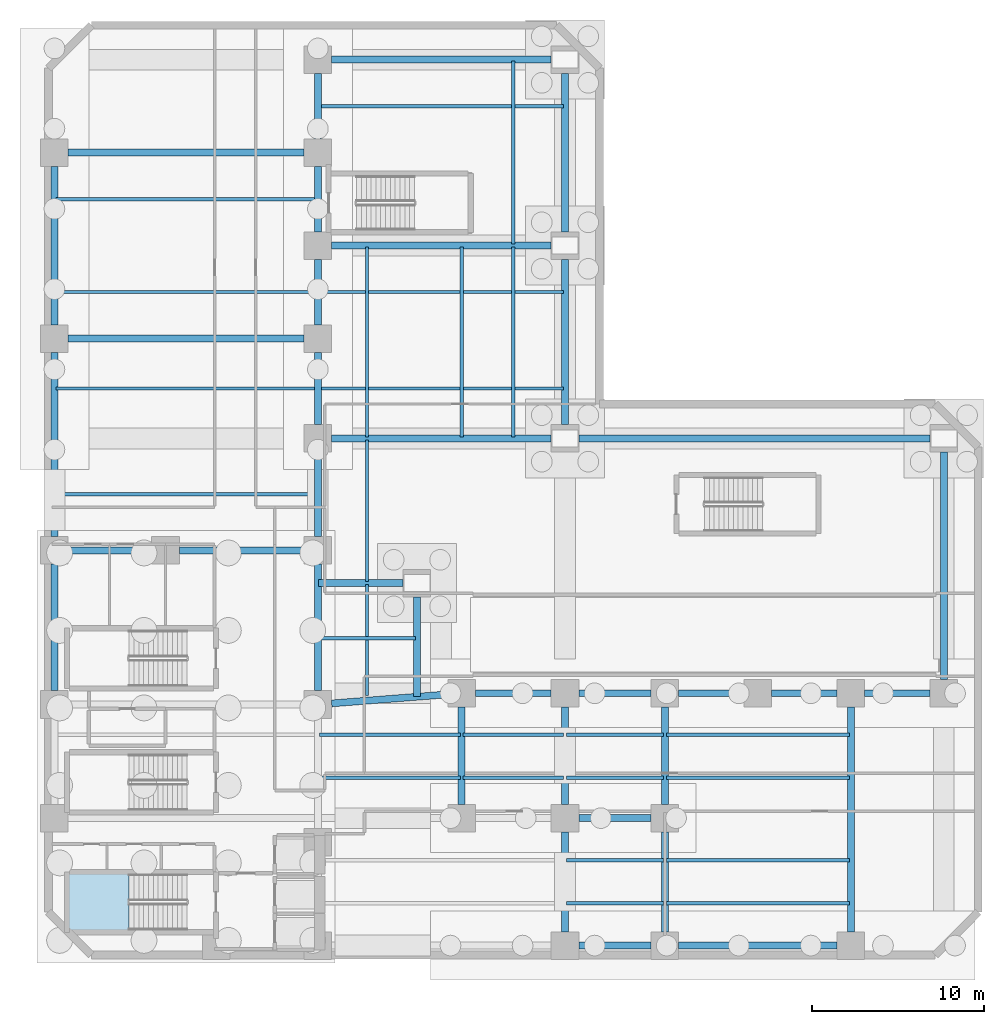
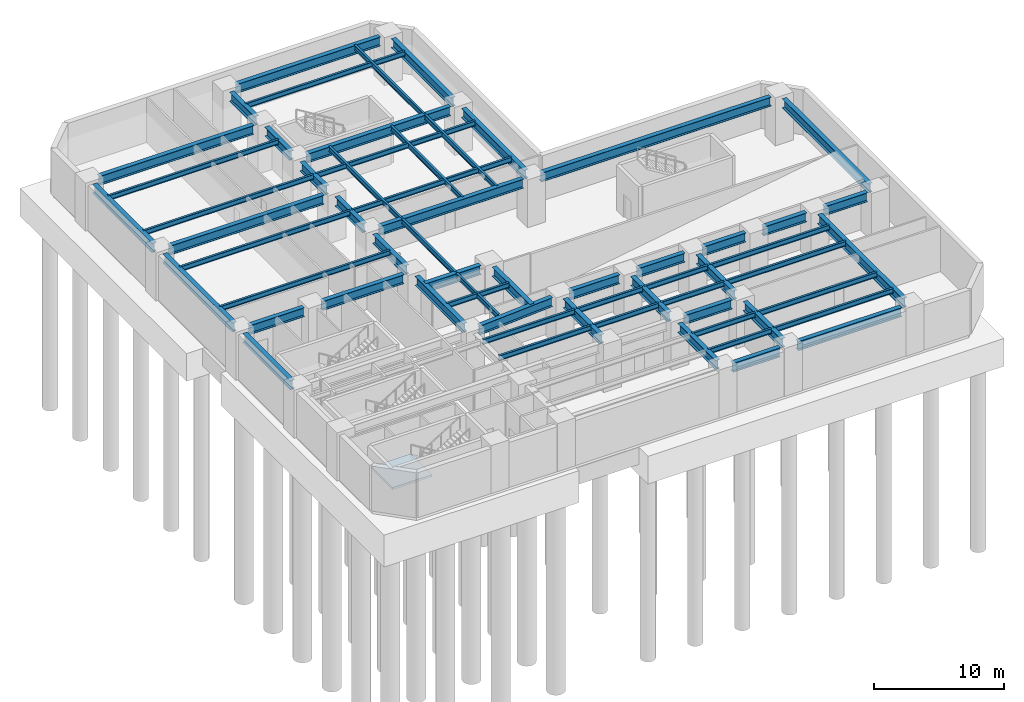
# One storey, part 2 of 10: 63 beams, 1 slab, 1 element without a shape of its own.
"""IFC4 building model written with IfcOpenShell, lengths in metres."""

from ifc_helpers import new_model, si_unit, direction, frame, origin, origin_2d, place, context, subcontext, project, spatial, polyline, i_section, outline, extrude, material, layer, layer_set, material_profile, profile_set, type_object, element, aggregate, save


model = new_model("IFC4")

# Units and contexts
model_context = context("Model", 3, precision=1e-05, world=origin(), true_north=direction((0.0, 1.0)))
body_context = subcontext(model_context, "Body", "Model", "MODEL_VIEW")
ifc_project = project(units=[si_unit("LENGTHUNIT", "METRE"), si_unit("AREAUNIT", "SQUARE_METRE"), si_unit("VOLUMEUNIT", "CUBIC_METRE"), si_unit("PLANEANGLEUNIT", "RADIAN"), si_unit("MASSUNIT", "GRAM", prefix="KILO")], contexts=[model_context])

# Site, building, storey
site_placement = place(None, origin())
site = spatial("IfcSite", under=ifc_project, at=site_placement, CompositionType="ELEMENT")
building_placement = place(site_placement, origin())
building = spatial("IfcBuilding", under=site, at=building_placement, Name="Mawjaban Terraces University", CompositionType="ELEMENT")
storey_placement = place(building_placement, frame((0.0, 0.0, -9.0)))
storey = spatial("IfcBuildingStorey", under=building, at=storey_placement, Name="B2", CompositionType="ELEMENT", Elevation=-9.0)

# Beams
ifc_material_1 = material(Name="Steel ASTM A572 Grade 50", Category="steel")
ifc_material_profile_1 = material_profile(ifc_material_1, i_section(OverallWidth=0.39990234375, OverallDepth=0.85498046875, WebThickness=0.018310546875, FlangeThickness=0.029296875, at=origin_2d()), Name="W840X299")
ifc_profile_set_1 = profile_set([ifc_material_profile_1], Name="Steel ASTM A572 Grade 50")
beam_type_1 = type_object("IfcBeamType", Name="Beam_B_W840X299", PredefinedType="BEAM", material=ifc_profile_set_1)
beam_1_placement = place(storey_placement, frame((52.800048828125, 0.550048828125, 3.7919921875), z_axis=(1.0, 0.0, 0.0), x_axis=(0.0, 1.0, 0.0)))
element("IfcBeam", 1, at=beam_1_placement, inside=storey, type_object=beam_type_1, Name="B2 Beam BM-B2-EW-02", PredefinedType="BEAM", context=body_context, shape_type="SweptSolid", body=[
    extrude(i_section(OverallWidth=0.39990234375, OverallDepth=0.85498046875, WebThickness=0.018310546875, FlangeThickness=0.029296875, at=origin_2d()), origin(), (0.0, 0.0, 1.0), 4.199951171875),
])
beam_2_placement = place(storey_placement, frame((58.60009765625, 0.550048828125, 3.7919921875), z_axis=(1.0, 0.0, 0.0), x_axis=(0.0, 1.0, 0.0)))
element("IfcBeam", 2, at=beam_2_placement, inside=storey, type_object=beam_type_1, Name="B2 Beam BM-B2-EW-03", PredefinedType="BEAM", context=body_context, shape_type="SweptSolid", body=[
    extrude(i_section(OverallWidth=0.39990234375, OverallDepth=0.85498046875, WebThickness=0.018310546875, FlangeThickness=0.029296875, at=origin_2d()), origin(), (0.0, 0.0, 1.0), 9.199951171875),
])
beam_3_placement = place(storey_placement, frame((52.800048828125, 7.949951171875, 3.7919921875), z_axis=(1.0, 0.0, 0.0), x_axis=(0.0, 1.0, 0.0)))
element("IfcBeam", 3, at=beam_3_placement, inside=storey, type_object=beam_type_1, Name="B2 Beam BM-B2-EW-06", PredefinedType="BEAM", context=body_context, shape_type="SweptSolid", body=[
    extrude(i_section(OverallWidth=0.39990234375, OverallDepth=0.85498046875, WebThickness=0.018310546875, FlangeThickness=0.029296875, at=origin_2d()), origin(), (0.0, 0.0, 1.0), 4.199951171875),
])
beam_4_placement = place(storey_placement, frame((46.800048828125, 15.199951171875, 3.7919921875), z_axis=(1.0, 0.0, 0.0), x_axis=(0.0, 1.0, 0.0)))
element("IfcBeam", 4, at=beam_4_placement, inside=storey, type_object=beam_type_1, Name="B2 Beam BM-B2-EW-08", PredefinedType="BEAM", context=body_context, shape_type="SweptSolid", body=[
    extrude(i_section(OverallWidth=0.39990234375, OverallDepth=0.85498046875, WebThickness=0.018310546875, FlangeThickness=0.029296875, at=origin_2d()), origin(), (0.0, 0.0, 1.0), 4.39990234375),
])
beam_5_placement = place(storey_placement, frame((52.800048828125, 15.199951171875, 3.7919921875), z_axis=(1.0, 0.0, 0.0), x_axis=(0.0, 1.0, 0.0)))
element("IfcBeam", 5, at=beam_5_placement, inside=storey, type_object=beam_type_1, Name="B2 Beam BM-B2-EW-09", PredefinedType="BEAM", context=body_context, shape_type="SweptSolid", body=[
    extrude(i_section(OverallWidth=0.39990234375, OverallDepth=0.85498046875, WebThickness=0.018310546875, FlangeThickness=0.029296875, at=origin_2d()), origin(), (0.0, 0.0, 1.0), 4.199951171875),
])
beam_6_placement = place(storey_placement, frame((58.60009765625, 15.199951171875, 3.7919921875), z_axis=(1.0, 0.0, 0.0), x_axis=(0.0, 1.0, 0.0)))
element("IfcBeam", 6, at=beam_6_placement, inside=storey, type_object=beam_type_1, Name="B2 Beam BM-B2-EW-10", PredefinedType="BEAM", context=body_context, shape_type="SweptSolid", body=[
    extrude(i_section(OverallWidth=0.39990234375, OverallDepth=0.85498046875, WebThickness=0.018310546875, FlangeThickness=0.029296875, at=origin_2d()), origin(), (0.0, 0.0, 1.0), 3.7998046875),
])
for number, where, z_axis, x_axis, name in (
    (7, (64.0, 15.199951171875, 3.7919921875), (1.0, 0.0, 0.0), (0.0, 1.0, 0.0), "B2 Beam BM-B2-EW-11"),
    (8, (69.39990234375, 15.199951171875, 3.7919921875), (1.0, 0.0, 0.0), (0.0, 1.0, 0.0), "B2 Beam BM-B2-EW-12"),
):
    element("IfcBeam", number, at=place(storey_placement, frame(where, z_axis=z_axis, x_axis=x_axis)), inside=storey, type_object=beam_type_1, Name=name, PredefinedType="BEAM", context=body_context, shape_type="SweptSolid", body=[
        extrude(i_section(OverallWidth=0.39990234375, OverallDepth=0.85498046875, WebThickness=0.018310546875, FlangeThickness=0.029296875, at=origin_2d()), origin(), (0.0, 0.0, 1.0), 3.800048828125),
    ])
beam_7_placement = place(storey_placement, frame((23.14990234375, 23.5, 3.7919921875), z_axis=(1.0, 0.0, 0.0), x_axis=(0.0, 1.0, 0.0)))
element("IfcBeam", 9, at=beam_7_placement, inside=storey, type_object=beam_type_1, Name="B2 Beam BM-B2-EW-13", PredefinedType="BEAM", context=body_context, shape_type="SweptSolid", body=[
    extrude(i_section(OverallWidth=0.39990234375, OverallDepth=0.85498046875, WebThickness=0.018310546875, FlangeThickness=0.029296875, at=origin_2d()), origin(), (0.0, 0.0, 1.0), 4.85009765625),
])
beam_8_placement = place(storey_placement, frame((29.60009765625, 23.5, 3.7919921875), z_axis=(1.0, 0.0, 0.0), x_axis=(0.0, 1.0, 0.0)))
element("IfcBeam", 10, at=beam_8_placement, inside=storey, type_object=beam_type_1, Name="B2 Beam BM-B2-EW-14", PredefinedType="BEAM", context=body_context, shape_type="SweptSolid", body=[
    extrude(i_section(OverallWidth=0.39990234375, OverallDepth=0.85498046875, WebThickness=0.018310546875, FlangeThickness=0.029296875, at=origin_2d()), origin(), (0.0, 0.0, 1.0), 7.25),
])
beam_9_placement = place(storey_placement, frame((38.449951171875, 30.0, 3.7919921875), z_axis=(1.0, 0.0, 0.0), x_axis=(0.0, 1.0, 0.0)))
element("IfcBeam", 11, at=beam_9_placement, inside=storey, type_object=beam_type_1, Name="B2 Beam BM-B2-EW-15", PredefinedType="BEAM", context=body_context, shape_type="SweptSolid", body=[
    extrude(i_section(OverallWidth=0.39990234375, OverallDepth=0.85498046875, WebThickness=0.018310546875, FlangeThickness=0.029296875, at=origin_2d()), origin(), (0.0, 0.0, 1.0), 12.75),
])
beam_10_placement = place(storey_placement, frame((52.800048828125, 30.0, 3.7919921875), z_axis=(1.0, 0.0, 0.0), x_axis=(0.0, 1.0, 0.0)))
element("IfcBeam", 12, at=beam_10_placement, inside=storey, type_object=beam_type_1, Name="B2 Beam BM-B2-EW-16", PredefinedType="BEAM", context=body_context, shape_type="SweptSolid", body=[
    extrude(i_section(OverallWidth=0.39990234375, OverallDepth=0.85498046875, WebThickness=0.018310546875, FlangeThickness=0.029296875, at=origin_2d()), origin(), (0.0, 0.0, 1.0), 20.39990234375),
])
beam_11_placement = place(storey_placement, frame((23.14990234375, 35.800048828125, 3.7919921875), z_axis=(1.0, 0.0, 0.0), x_axis=(0.0, 1.0, 0.0)))
element("IfcBeam", 13, at=beam_11_placement, inside=storey, type_object=beam_type_1, Name="B2 Beam BM-B2-EW-17", PredefinedType="BEAM", context=body_context, shape_type="SweptSolid", body=[
    extrude(i_section(OverallWidth=0.39990234375, OverallDepth=0.85498046875, WebThickness=0.018310546875, FlangeThickness=0.029296875, at=origin_2d()), origin(), (0.0, 0.0, 1.0), 13.7001953125),
])
beam_12_placement = place(storey_placement, frame((38.449951171875, 41.199951171875, 3.7919921875), z_axis=(1.0, 0.0, 0.0), x_axis=(0.0, 1.0, 0.0)))
element("IfcBeam", 14, at=beam_12_placement, inside=storey, type_object=beam_type_1, Name="B2 Beam BM-B2-EW-18", PredefinedType="BEAM", context=body_context, shape_type="SweptSolid", body=[
    extrude(i_section(OverallWidth=0.39990234375, OverallDepth=0.85498046875, WebThickness=0.018310546875, FlangeThickness=0.029296875, at=origin_2d()), origin(), (0.0, 0.0, 1.0), 12.75),
])
beam_13_placement = place(storey_placement, frame((23.14990234375, 46.60009765625, 3.7919921875), z_axis=(1.0, 0.0, 0.0), x_axis=(0.0, 1.0, 0.0)))
element("IfcBeam", 15, at=beam_13_placement, inside=storey, type_object=beam_type_1, Name="B2 Beam BM-B2-EW-19", PredefinedType="BEAM", context=body_context, shape_type="SweptSolid", body=[
    extrude(i_section(OverallWidth=0.39990234375, OverallDepth=0.85498046875, WebThickness=0.018310546875, FlangeThickness=0.029296875, at=origin_2d()), origin(), (0.0, 0.0, 1.0), 13.7001953125),
])
beam_14_placement = place(storey_placement, frame((38.449951171875, 52.0, 3.7919921875), z_axis=(1.0, 0.0, 0.0), x_axis=(0.0, 1.0, 0.0)))
element("IfcBeam", 16, at=beam_14_placement, inside=storey, type_object=beam_type_1, Name="B2 Beam BM-B2-EW-20", PredefinedType="BEAM", context=body_context, shape_type="SweptSolid", body=[
    extrude(i_section(OverallWidth=0.39990234375, OverallDepth=0.85498046875, WebThickness=0.018310546875, FlangeThickness=0.029296875, at=origin_2d()), origin(), (0.0, 0.0, 1.0), 12.75),
])
beam_15_placement = place(storey_placement, frame((22.35009765625, 15.35009765625, 3.7919921875), z_axis=(0.0, 1.0, 0.0), x_axis=(-1.0, 0.0, 0.0)))
element("IfcBeam", 17, at=beam_15_placement, inside=storey, type_object=beam_type_1, Name="B2 Beam BM-B2-NS-02", PredefinedType="BEAM", context=body_context, shape_type="SweptSolid", body=[
    extrude(i_section(OverallWidth=0.39990234375, OverallDepth=0.85498046875, WebThickness=0.018310546875, FlangeThickness=0.029296875, at=origin_2d()), origin(), (0.0, 0.0, 1.0), 7.349853515625),
])
beam_16_placement = place(storey_placement, frame((22.35009765625, 24.300048828125, 3.7919921875), z_axis=(0.0, 1.0, 0.0), x_axis=(-1.0, 0.0, 0.0)))
element("IfcBeam", 18, at=beam_16_placement, inside=storey, type_object=beam_type_1, Name="B2 Beam BM-B2-NS-03", PredefinedType="BEAM", context=body_context, shape_type="SweptSolid", body=[
    extrude(i_section(OverallWidth=0.39990234375, OverallDepth=0.85498046875, WebThickness=0.018310546875, FlangeThickness=0.029296875, at=origin_2d()), origin(), (0.0, 0.0, 1.0), 10.699951171875),
])
beam_17_placement = place(storey_placement, frame((22.35009765625, 36.60009765625, 3.7919921875), z_axis=(0.0, 1.0, 0.0), x_axis=(-1.0, 0.0, 0.0)))
element("IfcBeam", 19, at=beam_17_placement, inside=storey, type_object=beam_type_1, Name="B2 Beam BM-B2-NS-04", PredefinedType="BEAM", context=body_context, shape_type="SweptSolid", body=[
    extrude(i_section(OverallWidth=0.39990234375, OverallDepth=0.85498046875, WebThickness=0.018310546875, FlangeThickness=0.029296875, at=origin_2d()), origin(), (0.0, 0.0, 1.0), 9.199951171875),
])
beam_18_placement = place(storey_placement, frame((37.64990234375, 15.35009765625, 3.7919921875), z_axis=(0.0, 1.0, 0.0), x_axis=(-1.0, 0.0, 0.0)))
element("IfcBeam", 20, at=beam_18_placement, inside=storey, type_object=beam_type_1, Name="B2 Beam BM-B2-NS-07", PredefinedType="BEAM", context=body_context, shape_type="SweptSolid", body=[
    extrude(i_section(OverallWidth=0.39990234375, OverallDepth=0.85498046875, WebThickness=0.018310546875, FlangeThickness=0.029296875, at=origin_2d()), origin(), (0.0, 0.0, 1.0), 7.349853515625),
])
beam_19_placement = place(storey_placement, frame((37.64990234375, 24.300048828125, 3.7919921875), z_axis=(0.0, 1.0, 0.0), x_axis=(-1.0, 0.0, 0.0)))
element("IfcBeam", 21, at=beam_19_placement, inside=storey, type_object=beam_type_1, Name="B2 Beam BM-B2-NS-08", PredefinedType="BEAM", context=body_context, shape_type="SweptSolid", body=[
    extrude(i_section(OverallWidth=0.39990234375, OverallDepth=0.85498046875, WebThickness=0.018310546875, FlangeThickness=0.029296875, at=origin_2d()), origin(), (0.0, 0.0, 1.0), 4.89990234375),
])
beam_20_placement = place(storey_placement, frame((37.64990234375, 30.800048828125, 3.7919921875), z_axis=(0.0, 1.0, 0.0), x_axis=(-1.0, 0.0, 0.0)))
element("IfcBeam", 22, at=beam_20_placement, inside=storey, type_object=beam_type_1, Name="B2 Beam BM-B2-NS-09", PredefinedType="BEAM", context=body_context, shape_type="SweptSolid", body=[
    extrude(i_section(OverallWidth=0.39990234375, OverallDepth=0.85498046875, WebThickness=0.018310546875, FlangeThickness=0.029296875, at=origin_2d()), origin(), (0.0, 0.0, 1.0), 4.199951171875),
])
beam_21_placement = place(storey_placement, frame((37.64990234375, 36.60009765625, 3.7919921875), z_axis=(0.0, 1.0, 0.0), x_axis=(-1.0, 0.0, 0.0)))
element("IfcBeam", 23, at=beam_21_placement, inside=storey, type_object=beam_type_1, Name="B2 Beam BM-B2-NS-10", PredefinedType="BEAM", context=body_context, shape_type="SweptSolid", body=[
    extrude(i_section(OverallWidth=0.39990234375, OverallDepth=0.85498046875, WebThickness=0.018310546875, FlangeThickness=0.029296875, at=origin_2d()), origin(), (0.0, 0.0, 1.0), 3.7998046875),
])
for number, where, z_axis, x_axis, name in (
    (24, (37.64990234375, 42.0, 3.7919921875), (0.0, 1.0, 0.0), (-1.0, 0.0, 0.0), "B2 Beam BM-B2-NS-11"),
    (25, (37.64990234375, 47.39990234375, 3.7919921875), (0.0, 1.0, 0.0), (-1.0, 0.0, 0.0), "B2 Beam BM-B2-NS-12"),
):
    element("IfcBeam", number, at=place(storey_placement, frame(where, z_axis=z_axis, x_axis=x_axis)), inside=storey, type_object=beam_type_1, Name=name, PredefinedType="BEAM", context=body_context, shape_type="SweptSolid", body=[
        extrude(i_section(OverallWidth=0.39990234375, OverallDepth=0.85498046875, WebThickness=0.018310546875, FlangeThickness=0.029296875, at=origin_2d()), origin(), (0.0, 0.0, 1.0), 3.800048828125),
    ])
beam_22_placement = place(storey_placement, frame((46.0, 8.75, 3.7919921875), z_axis=(0.0, 1.0, 0.0), x_axis=(-1.0, 0.0, 0.0)))
element("IfcBeam", 26, at=beam_22_placement, inside=storey, type_object=beam_type_1, Name="B2 Beam BM-B2-NS-13", PredefinedType="BEAM", context=body_context, shape_type="SweptSolid", body=[
    extrude(i_section(OverallWidth=0.39990234375, OverallDepth=0.85498046875, WebThickness=0.018310546875, FlangeThickness=0.029296875, at=origin_2d()), origin(), (0.0, 0.0, 1.0), 5.64990234375),
])
beam_23_placement = place(storey_placement, frame((52.0, 1.35009765625, 3.7919921875), z_axis=(0.0, 1.0, 0.0), x_axis=(-1.0, 0.0, 0.0)))
element("IfcBeam", 27, at=beam_23_placement, inside=storey, type_object=beam_type_1, Name="B2 Beam BM-B2-NS-14", PredefinedType="BEAM", context=body_context, shape_type="SweptSolid", body=[
    extrude(i_section(OverallWidth=0.39990234375, OverallDepth=0.85498046875, WebThickness=0.018310546875, FlangeThickness=0.029296875, at=origin_2d()), origin(), (0.0, 0.0, 1.0), 5.7998046875),
])
beam_24_placement = place(storey_placement, frame((52.0, 8.75, 3.7919921875), z_axis=(0.0, 1.0, 0.0), x_axis=(-1.0, 0.0, 0.0)))
element("IfcBeam", 28, at=beam_24_placement, inside=storey, type_object=beam_type_1, Name="B2 Beam BM-B2-NS-15", PredefinedType="BEAM", context=body_context, shape_type="SweptSolid", body=[
    extrude(i_section(OverallWidth=0.39990234375, OverallDepth=0.85498046875, WebThickness=0.018310546875, FlangeThickness=0.029296875, at=origin_2d()), origin(), (0.0, 0.0, 1.0), 5.64990234375),
])
beam_25_placement = place(storey_placement, frame((52.0, 30.800048828125, 3.7919921875), z_axis=(0.0, 1.0, 0.0), x_axis=(-1.0, 0.0, 0.0)))
element("IfcBeam", 29, at=beam_25_placement, inside=storey, type_object=beam_type_1, Name="B2 Beam BM-B2-NS-16", PredefinedType="BEAM", context=body_context, shape_type="SweptSolid", body=[
    extrude(i_section(OverallWidth=0.39990234375, OverallDepth=0.85498046875, WebThickness=0.018310546875, FlangeThickness=0.029296875, at=origin_2d()), origin(), (0.0, 0.0, 1.0), 9.599853515625),
])
beam_26_placement = place(storey_placement, frame((52.0, 42.0, 3.7919921875), z_axis=(0.0, 1.0, 0.0), x_axis=(-1.0, 0.0, 0.0)))
element("IfcBeam", 30, at=beam_26_placement, inside=storey, type_object=beam_type_1, Name="B2 Beam BM-B2-NS-17", PredefinedType="BEAM", context=body_context, shape_type="SweptSolid", body=[
    extrude(i_section(OverallWidth=0.39990234375, OverallDepth=0.85498046875, WebThickness=0.018310546875, FlangeThickness=0.029296875, at=origin_2d()), origin(), (0.0, 0.0, 1.0), 9.199951171875),
])
beam_27_placement = place(storey_placement, frame((57.800048828125, 1.35009765625, 3.7919921875), z_axis=(0.0, 1.0, 0.0), x_axis=(-1.0, 0.0, 0.0)))
element("IfcBeam", 31, at=beam_27_placement, inside=storey, type_object=beam_type_1, Name="B2 Beam BM-B2-NS-18", PredefinedType="BEAM", context=body_context, shape_type="SweptSolid", body=[
    extrude(i_section(OverallWidth=0.39990234375, OverallDepth=0.85498046875, WebThickness=0.018310546875, FlangeThickness=0.029296875, at=origin_2d()), origin(), (0.0, 0.0, 1.0), 5.7998046875),
])
beam_28_placement = place(storey_placement, frame((57.800048828125, 8.75, 3.7919921875), z_axis=(0.0, 1.0, 0.0), x_axis=(-1.0, 0.0, 0.0)))
element("IfcBeam", 32, at=beam_28_placement, inside=storey, type_object=beam_type_1, Name="B2 Beam BM-B2-NS-19", PredefinedType="BEAM", context=body_context, shape_type="SweptSolid", body=[
    extrude(i_section(OverallWidth=0.39990234375, OverallDepth=0.85498046875, WebThickness=0.018310546875, FlangeThickness=0.029296875, at=origin_2d()), origin(), (0.0, 0.0, 1.0), 5.64990234375),
])
beam_29_placement = place(storey_placement, frame((68.60009765625, 1.35009765625, 3.7919921875), z_axis=(0.0, 1.0, 0.0), x_axis=(-1.0, 0.0, 0.0)))
element("IfcBeam", 33, at=beam_29_placement, inside=storey, type_object=beam_type_1, Name="B2 Beam BM-B2-NS-20", PredefinedType="BEAM", context=body_context, shape_type="SweptSolid", body=[
    extrude(i_section(OverallWidth=0.39990234375, OverallDepth=0.85498046875, WebThickness=0.018310546875, FlangeThickness=0.029296875, at=origin_2d()), origin(), (0.0, 0.0, 1.0), 13.0498046875),
])
beam_30_placement = place(storey_placement, frame((74.0, 16.0, 3.7919921875), z_axis=(0.0, 1.0, 0.0), x_axis=(-1.0, 0.0, 0.0)))
element("IfcBeam", 34, at=beam_30_placement, inside=storey, type_object=beam_type_1, Name="B2 Beam BM-B2-NS-21", PredefinedType="BEAM", context=body_context, shape_type="SweptSolid", body=[
    extrude(i_section(OverallWidth=0.39990234375, OverallDepth=0.85498046875, WebThickness=0.018310546875, FlangeThickness=0.029296875, at=origin_2d()), origin(), (0.0, 0.0, 1.0), 13.199951171875),
])
beam_31_placement = place(storey_placement, frame((38.447998046875, 14.612060546875, 3.7919921875), z_axis=(0.996982396396, 0.077627967099, 0.0), x_axis=(-0.077627967099, 0.996982396396, 0.0)))
element("IfcBeam", 35, at=beam_31_placement, inside=storey, type_object=beam_type_1, Name="B2 Beam BM-B2-CTIE", PredefinedType="BEAM", context=body_context, shape_type="SweptSolid", body=[
    extrude(i_section(OverallWidth=0.39990234375, OverallDepth=0.85498046875, WebThickness=0.018310546875, FlangeThickness=0.029296875, at=origin_2d()), origin(), (0.0, 0.0, 1.0), 6.7744140625),
])
beam_32_placement = place(storey_placement, frame((37.679931640625, 21.60009765625, 3.7919921875), z_axis=(1.0, 0.0, 0.0), x_axis=(0.0, 1.0, 0.0)))
element("IfcBeam", 36, at=beam_32_placement, inside=storey, type_object=beam_type_1, Name="B2 Spur Tie Girder West", PredefinedType="BEAM", context=body_context, shape_type="SweptSolid", body=[
    extrude(i_section(OverallWidth=0.39990234375, OverallDepth=0.85498046875, WebThickness=0.018310546875, FlangeThickness=0.029296875, at=origin_2d()), origin(), (0.0, 0.0, 1.0), 4.920166015625),
])
beam_33_placement = place(storey_placement, frame((43.39990234375, 15.0, 3.7919921875), z_axis=(0.0, 1.0, 0.0), x_axis=(-1.0, 0.0, 0.0)))
element("IfcBeam", 37, at=beam_33_placement, inside=storey, type_object=beam_type_1, Name="B2 Spur Tie Girder South", PredefinedType="BEAM", context=body_context, shape_type="SweptSolid", body=[
    extrude(i_section(OverallWidth=0.39990234375, OverallDepth=0.85498046875, WebThickness=0.018310546875, FlangeThickness=0.029296875, at=origin_2d()), origin(), (0.0, 0.0, 1.0), 5.800048828125),
])
ifc_material_profile_2 = material_profile(ifc_material_1, i_section(OverallWidth=0.194091796875, OverallDepth=0.468994140625, WebThickness=0.011474609375, FlangeThickness=0.0205078125, at=origin_2d()), Name="W460X106")
ifc_profile_set_2 = profile_set([ifc_material_profile_2], Name="Steel ASTM A572 Grade 50")
beam_type_2 = type_object("IfcBeamType", Name="Beam_J_W460X106", PredefinedType="JOIST", material=ifc_profile_set_2)
beam_34_placement = place(storey_placement, frame((52.080078125, 3.0, 3.986083984375), z_axis=(1.0, 0.0, 0.0), x_axis=(0.0, 1.0, 0.0)))
element("IfcBeam", 38, at=beam_34_placement, inside=storey, type_object=beam_type_2, Name="B2 Composite Joist JST-B2-02", PredefinedType="JOIST", context=body_context, shape_type="SweptSolid", body=[
    extrude(i_section(OverallWidth=0.194091796875, OverallDepth=0.468994140625, WebThickness=0.011474609375, FlangeThickness=0.0205078125, at=origin_2d()), origin(), (0.0, 0.0, 1.0), 5.639892578125),
])
beam_35_placement = place(storey_placement, frame((57.8798828125, 3.0, 3.986083984375), z_axis=(1.0, 0.0, 0.0), x_axis=(0.0, 1.0, 0.0)))
element("IfcBeam", 39, at=beam_35_placement, inside=storey, type_object=beam_type_2, Name="B2 Composite Joist JST-B2-03", PredefinedType="JOIST", context=body_context, shape_type="SweptSolid", body=[
    extrude(i_section(OverallWidth=0.194091796875, OverallDepth=0.468994140625, WebThickness=0.011474609375, FlangeThickness=0.0205078125, at=origin_2d()), origin(), (0.0, 0.0, 1.0), 10.64013671875),
])
beam_36_placement = place(storey_placement, frame((52.080078125, 5.5, 3.986083984375), z_axis=(1.0, 0.0, 0.0), x_axis=(0.0, 1.0, 0.0)))
element("IfcBeam", 40, at=beam_36_placement, inside=storey, type_object=beam_type_2, Name="B2 Composite Joist JST-B2-05", PredefinedType="JOIST", context=body_context, shape_type="SweptSolid", body=[
    extrude(i_section(OverallWidth=0.194091796875, OverallDepth=0.468994140625, WebThickness=0.011474609375, FlangeThickness=0.0205078125, at=origin_2d()), origin(), (0.0, 0.0, 1.0), 5.639892578125),
])
beam_37_placement = place(storey_placement, frame((57.8798828125, 5.5, 3.986083984375), z_axis=(1.0, 0.0, 0.0), x_axis=(0.0, 1.0, 0.0)))
element("IfcBeam", 41, at=beam_37_placement, inside=storey, type_object=beam_type_2, Name="B2 Composite Joist JST-B2-06", PredefinedType="JOIST", context=body_context, shape_type="SweptSolid", body=[
    extrude(i_section(OverallWidth=0.194091796875, OverallDepth=0.468994140625, WebThickness=0.011474609375, FlangeThickness=0.0205078125, at=origin_2d()), origin(), (0.0, 0.0, 1.0), 10.64013671875),
])
beam_38_placement = place(storey_placement, frame((37.72998046875, 10.300048828125, 3.986083984375), z_axis=(1.0, 0.0, 0.0), x_axis=(0.0, 1.0, 0.0)))
element("IfcBeam", 42, at=beam_38_placement, inside=storey, type_object=beam_type_2, Name="B2 Composite Joist JST-B2-07", PredefinedType="JOIST", context=body_context, shape_type="SweptSolid", body=[
    extrude(i_section(OverallWidth=0.194091796875, OverallDepth=0.468994140625, WebThickness=0.011474609375, FlangeThickness=0.0205078125, at=origin_2d()), origin(), (0.0, 0.0, 1.0), 8.18994140625),
])
beam_39_placement = place(storey_placement, frame((46.080078125, 10.300048828125, 3.986083984375), z_axis=(1.0, 0.0, 0.0), x_axis=(0.0, 1.0, 0.0)))
element("IfcBeam", 43, at=beam_39_placement, inside=storey, type_object=beam_type_2, Name="B2 Composite Joist JST-B2-08", PredefinedType="JOIST", context=body_context, shape_type="SweptSolid", body=[
    extrude(i_section(OverallWidth=0.194091796875, OverallDepth=0.468994140625, WebThickness=0.011474609375, FlangeThickness=0.0205078125, at=origin_2d()), origin(), (0.0, 0.0, 1.0), 5.83984375),
])
beam_40_placement = place(storey_placement, frame((52.080078125, 10.300048828125, 3.986083984375), z_axis=(1.0, 0.0, 0.0), x_axis=(0.0, 1.0, 0.0)))
element("IfcBeam", 44, at=beam_40_placement, inside=storey, type_object=beam_type_2, Name="B2 Composite Joist JST-B2-09", PredefinedType="JOIST", context=body_context, shape_type="SweptSolid", body=[
    extrude(i_section(OverallWidth=0.194091796875, OverallDepth=0.468994140625, WebThickness=0.011474609375, FlangeThickness=0.0205078125, at=origin_2d()), origin(), (0.0, 0.0, 1.0), 5.639892578125),
])
beam_41_placement = place(storey_placement, frame((57.8798828125, 10.300048828125, 3.986083984375), z_axis=(1.0, 0.0, 0.0), x_axis=(0.0, 1.0, 0.0)))
element("IfcBeam", 45, at=beam_41_placement, inside=storey, type_object=beam_type_2, Name="B2 Composite Joist JST-B2-10", PredefinedType="JOIST", context=body_context, shape_type="SweptSolid", body=[
    extrude(i_section(OverallWidth=0.194091796875, OverallDepth=0.468994140625, WebThickness=0.011474609375, FlangeThickness=0.0205078125, at=origin_2d()), origin(), (0.0, 0.0, 1.0), 10.64013671875),
])
beam_42_placement = place(storey_placement, frame((37.72998046875, 12.800048828125, 3.986083984375), z_axis=(1.0, 0.0, 0.0), x_axis=(0.0, 1.0, 0.0)))
element("IfcBeam", 46, at=beam_42_placement, inside=storey, type_object=beam_type_2, Name="B2 Composite Joist JST-B2-12", PredefinedType="JOIST", context=body_context, shape_type="SweptSolid", body=[
    extrude(i_section(OverallWidth=0.194091796875, OverallDepth=0.468994140625, WebThickness=0.011474609375, FlangeThickness=0.0205078125, at=origin_2d()), origin(), (0.0, 0.0, 1.0), 8.18994140625),
])
beam_43_placement = place(storey_placement, frame((46.080078125, 12.800048828125, 3.986083984375), z_axis=(1.0, 0.0, 0.0), x_axis=(0.0, 1.0, 0.0)))
element("IfcBeam", 47, at=beam_43_placement, inside=storey, type_object=beam_type_2, Name="B2 Composite Joist JST-B2-13", PredefinedType="JOIST", context=body_context, shape_type="SweptSolid", body=[
    extrude(i_section(OverallWidth=0.194091796875, OverallDepth=0.468994140625, WebThickness=0.011474609375, FlangeThickness=0.0205078125, at=origin_2d()), origin(), (0.0, 0.0, 1.0), 5.83984375),
])
beam_44_placement = place(storey_placement, frame((52.080078125, 12.800048828125, 3.986083984375), z_axis=(1.0, 0.0, 0.0), x_axis=(0.0, 1.0, 0.0)))
element("IfcBeam", 48, at=beam_44_placement, inside=storey, type_object=beam_type_2, Name="B2 Composite Joist JST-B2-14", PredefinedType="JOIST", context=body_context, shape_type="SweptSolid", body=[
    extrude(i_section(OverallWidth=0.194091796875, OverallDepth=0.468994140625, WebThickness=0.011474609375, FlangeThickness=0.0205078125, at=origin_2d()), origin(), (0.0, 0.0, 1.0), 5.639892578125),
])
beam_45_placement = place(storey_placement, frame((57.8798828125, 12.800048828125, 3.986083984375), z_axis=(1.0, 0.0, 0.0), x_axis=(0.0, 1.0, 0.0)))
element("IfcBeam", 49, at=beam_45_placement, inside=storey, type_object=beam_type_2, Name="B2 Composite Joist JST-B2-15", PredefinedType="JOIST", context=body_context, shape_type="SweptSolid", body=[
    extrude(i_section(OverallWidth=0.194091796875, OverallDepth=0.468994140625, WebThickness=0.011474609375, FlangeThickness=0.0205078125, at=origin_2d()), origin(), (0.0, 0.0, 1.0), 10.64013671875),
])
beam_46_placement = place(storey_placement, frame((37.72998046875, 18.39990234375, 3.986083984375), z_axis=(1.0, 0.0, 0.0), x_axis=(0.0, 1.0, 0.0)))
element("IfcBeam", 50, at=beam_46_placement, inside=storey, type_object=beam_type_2, Name="B2 Composite Joist JST-B2-16", PredefinedType="JOIST", context=body_context, shape_type="SweptSolid", body=[
    extrude(i_section(OverallWidth=0.194091796875, OverallDepth=0.468994140625, WebThickness=0.011474609375, FlangeThickness=0.0205078125, at=origin_2d()), origin(), (0.0, 0.0, 1.0), 5.590087890625),
])
for number, where, z_axis, x_axis, name in (
    (51, (22.429931640625, 26.75, 3.986083984375), (1.0, 0.0, 0.0), (0.0, 1.0, 0.0), "B2 Composite Joist JST-B2-17"),
    (52, (22.429931640625, 32.89990234375, 3.986083984375), (1.0, 0.0, 0.0), (0.0, 1.0, 0.0), "B2 Composite Joist JST-B2-18"),
):
    element("IfcBeam", number, at=place(storey_placement, frame(where, z_axis=z_axis, x_axis=x_axis)), inside=storey, type_object=beam_type_2, Name=name, PredefinedType="JOIST", context=body_context, shape_type="SweptSolid", body=[
        extrude(i_section(OverallWidth=0.194091796875, OverallDepth=0.468994140625, WebThickness=0.011474609375, FlangeThickness=0.0205078125, at=origin_2d()), origin(), (0.0, 0.0, 1.0), 15.14013671875),
    ])
beam_47_placement = place(storey_placement, frame((37.72998046875, 32.89990234375, 3.986083984375), z_axis=(1.0, 0.0, 0.0), x_axis=(0.0, 1.0, 0.0)))
element("IfcBeam", 53, at=beam_47_placement, inside=storey, type_object=beam_type_2, Name="B2 Composite Joist JST-B2-19", PredefinedType="JOIST", context=body_context, shape_type="SweptSolid", body=[
    extrude(i_section(OverallWidth=0.194091796875, OverallDepth=0.468994140625, WebThickness=0.011474609375, FlangeThickness=0.0205078125, at=origin_2d()), origin(), (0.0, 0.0, 1.0), 14.18994140625),
])
beam_48_placement = place(storey_placement, frame((22.429931640625, 38.5, 3.986083984375), z_axis=(1.0, 0.0, 0.0), x_axis=(0.0, 1.0, 0.0)))
element("IfcBeam", 54, at=beam_48_placement, inside=storey, type_object=beam_type_2, Name="B2 Composite Joist JST-B2-20", PredefinedType="JOIST", context=body_context, shape_type="SweptSolid", body=[
    extrude(i_section(OverallWidth=0.194091796875, OverallDepth=0.468994140625, WebThickness=0.011474609375, FlangeThickness=0.0205078125, at=origin_2d()), origin(), (0.0, 0.0, 1.0), 15.14013671875),
])
beam_49_placement = place(storey_placement, frame((37.72998046875, 38.5, 3.986083984375), z_axis=(1.0, 0.0, 0.0), x_axis=(0.0, 1.0, 0.0)))
element("IfcBeam", 55, at=beam_49_placement, inside=storey, type_object=beam_type_2, Name="B2 Composite Joist JST-B2-21", PredefinedType="JOIST", context=body_context, shape_type="SweptSolid", body=[
    extrude(i_section(OverallWidth=0.194091796875, OverallDepth=0.468994140625, WebThickness=0.011474609375, FlangeThickness=0.0205078125, at=origin_2d()), origin(), (0.0, 0.0, 1.0), 14.18994140625),
])
beam_50_placement = place(storey_placement, frame((22.429931640625, 43.89990234375, 3.986083984375), z_axis=(1.0, 0.0, 0.0), x_axis=(0.0, 1.0, 0.0)))
element("IfcBeam", 56, at=beam_50_placement, inside=storey, type_object=beam_type_2, Name="B2 Composite Joist JST-B2-22", PredefinedType="JOIST", context=body_context, shape_type="SweptSolid", body=[
    extrude(i_section(OverallWidth=0.194091796875, OverallDepth=0.468994140625, WebThickness=0.011474609375, FlangeThickness=0.0205078125, at=origin_2d()), origin(), (0.0, 0.0, 1.0), 15.14013671875),
])
beam_51_placement = place(storey_placement, frame((37.72998046875, 49.300048828125, 3.986083984375), z_axis=(1.0, 0.0, 0.0), x_axis=(0.0, 1.0, 0.0)))
element("IfcBeam", 57, at=beam_51_placement, inside=storey, type_object=beam_type_2, Name="B2 Composite Joist JST-B2-23", PredefinedType="JOIST", context=body_context, shape_type="SweptSolid", body=[
    extrude(i_section(OverallWidth=0.194091796875, OverallDepth=0.468994140625, WebThickness=0.011474609375, FlangeThickness=0.0205078125, at=origin_2d()), origin(), (0.0, 0.0, 1.0), 14.18994140625),
])
beam_52_placement = place(storey_placement, frame((40.5, 15.080078125, 3.986083984375), z_axis=(0.0, 1.0, 0.0), x_axis=(-1.0, 0.0, 0.0)))
element("IfcBeam", 58, at=beam_52_placement, inside=storey, type_object=beam_type_2, Name="B2 Composite Joist JST-B2-NS-24", PredefinedType="JOIST", context=body_context, shape_type="SweptSolid", body=[
    extrude(i_section(OverallWidth=0.194091796875, OverallDepth=0.468994140625, WebThickness=0.011474609375, FlangeThickness=0.0205078125, at=origin_2d()), origin(), (0.0, 0.0, 1.0), 6.43994140625),
])
beam_53_placement = place(storey_placement, frame((40.5, 21.679931640625, 3.986083984375), z_axis=(0.0, 1.0, 0.0), x_axis=(-1.0, 0.0, 0.0)))
element("IfcBeam", 59, at=beam_53_placement, inside=storey, type_object=beam_type_2, Name="B2 Composite Joist JST-B2-NS-25", PredefinedType="JOIST", context=body_context, shape_type="SweptSolid", body=[
    extrude(i_section(OverallWidth=0.194091796875, OverallDepth=0.468994140625, WebThickness=0.011474609375, FlangeThickness=0.0205078125, at=origin_2d()), origin(), (0.0, 0.0, 1.0), 8.239990234375),
])
for number, where, z_axis, x_axis, name in (
    (60, (40.5, 30.080078125, 3.986083984375), (0.0, 1.0, 0.0), (-1.0, 0.0, 0.0), "B2 Composite Joist JST-B2-NS-26"),
    (61, (46.0, 30.080078125, 3.986083984375), (0.0, 1.0, 0.0), (-1.0, 0.0, 0.0), "B2 Composite Joist JST-B2-NS-27"),
    (62, (49.0, 30.080078125, 3.986083984375), (0.0, 1.0, 0.0), (-1.0, 0.0, 0.0), "B2 Composite Joist JST-B2-NS-28"),
):
    element("IfcBeam", number, at=place(storey_placement, frame(where, z_axis=z_axis, x_axis=x_axis)), inside=storey, type_object=beam_type_2, Name=name, PredefinedType="JOIST", context=body_context, shape_type="SweptSolid", body=[
        extrude(i_section(OverallWidth=0.194091796875, OverallDepth=0.468994140625, WebThickness=0.011474609375, FlangeThickness=0.0205078125, at=origin_2d()), origin(), (0.0, 0.0, 1.0), 11.0400390625),
    ])
beam_54_placement = place(storey_placement, frame((49.0, 41.280029296875, 3.986083984375), z_axis=(0.0, 1.0, 0.0), x_axis=(-1.0, 0.0, 0.0)))
element("IfcBeam", 63, at=beam_54_placement, inside=storey, type_object=beam_type_2, Name="B2 Composite Joist JST-B2-NS-29", PredefinedType="JOIST", context=body_context, shape_type="SweptSolid", body=[
    extrude(i_section(OverallWidth=0.194091796875, OverallDepth=0.468994140625, WebThickness=0.011474609375, FlangeThickness=0.0205078125, at=origin_2d()), origin(), (0.0, 0.0, 1.0), 10.639892578125),
])

# Stair, slab
ifc_material_2 = material(Name="Concrete C40/50", Category="concrete")
stair_type = type_object("IfcStairType", Name="Stair_Core1550_H45", PredefinedType="HALF_TURN_STAIR", material=ifc_material_2)
stair_placement = place(storey_placement, origin())
stair = element("IfcStair", 64, at=stair_placement, inside=storey, type_object=stair_type, Name="B2 Core Exit Stair 1", PredefinedType="HALF_TURN_STAIR")
ifc_layer = layer(ifc_material_2, 0.199951171875)
ifc_layer_set = layer_set([ifc_layer], Name="Concrete C40/50")
slab_type = type_object("IfcSlabType", Name="StairLandingSlab_200", PredefinedType="LANDING", material=ifc_layer_set)
slab_placement = place(storey_placement, frame((0.0, 0.0, 2.050048828125)))
slab = element("IfcSlab", 65, at=slab_placement, type_object=slab_type, Name="ST-1 landing 1", PredefinedType="LANDING", context=body_context, shape_type="SweptSolid", body=[
    extrude(outline(polyline([(26.68994140625, 4.699951171875), (23.199951171875, 4.699951171875), (23.199951171875, 1.449951171875), (26.68994140625, 1.449951171875), (26.68994140625, 4.699951171875)])), origin(), (0.0, 0.0, 1.0), 0.199951171875),
])
aggregate(stair, [slab])

save(model, "model.ifc")
